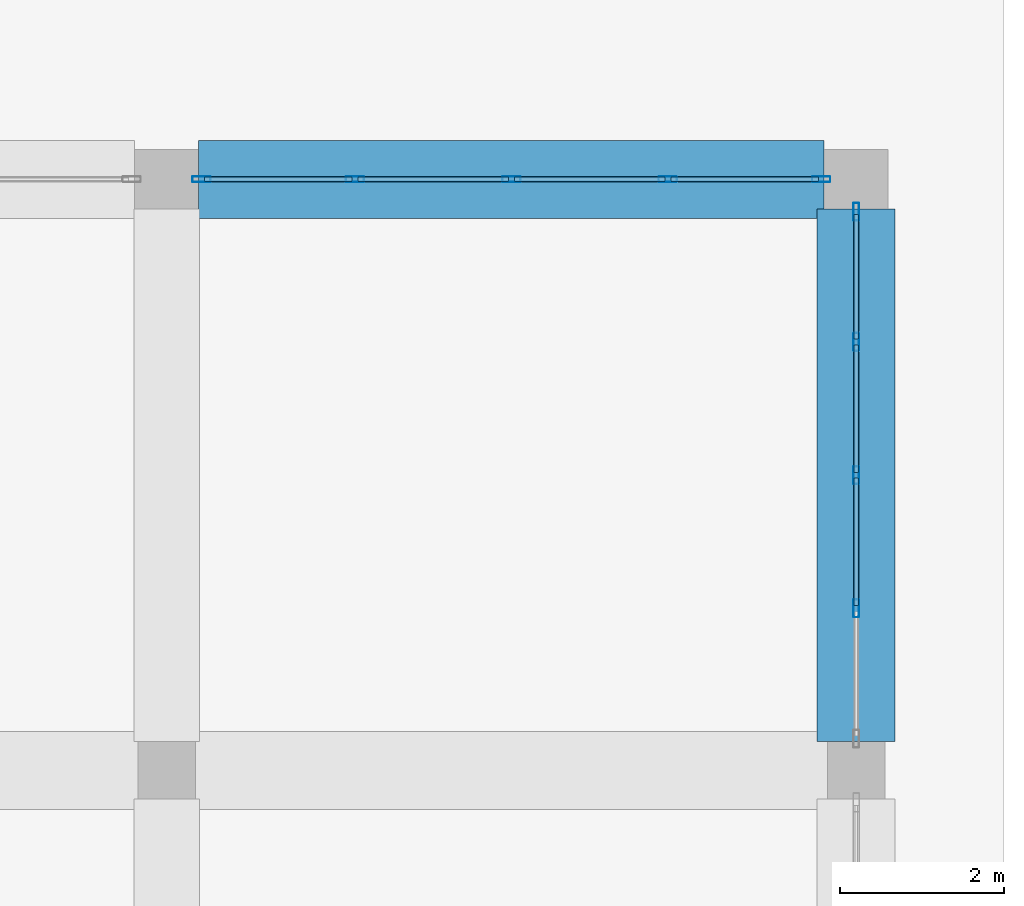
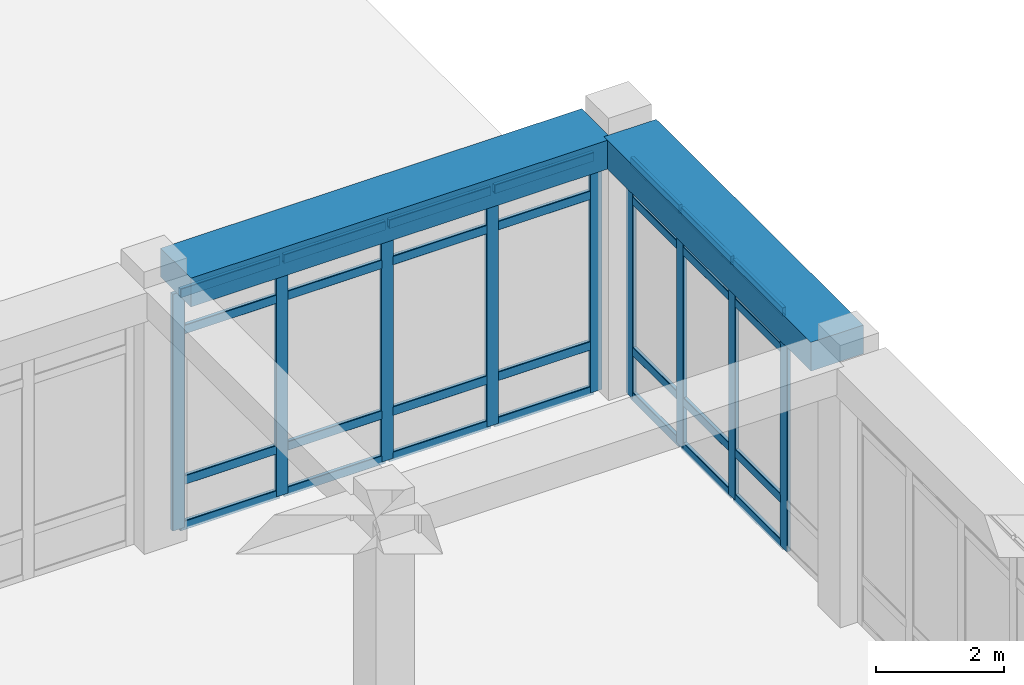
# One storey, part 50 of 84: 37 members, 2 beams, 2 elements without a shape of their own.
"""IFC4 building model written with IfcOpenShell, lengths in metres."""

from ifc_helpers import new_model, si_unit, derived_unit, direction, frame, origin, origin_2d, place, context, subcontext, project, spatial, rectangle, hollow_rectangle, extrude, material, material_profile, profile_set, type_object, element, aggregate, save


model = new_model("IFC4")

# Units and contexts
model_context = context("Model", 3, precision=1e-05, world=origin(), true_north=direction((0.0, 1.0)))
body_context = subcontext(model_context, "Body", "Model", "MODEL_VIEW")
ifc_project = project(units=[si_unit("LENGTHUNIT", "METRE"), si_unit("AREAUNIT", "SQUARE_METRE"), si_unit("VOLUMEUNIT", "CUBIC_METRE"), si_unit("PLANEANGLEUNIT", "RADIAN"), si_unit("MASSUNIT", "GRAM", prefix="KILO"), derived_unit("THERMALTRANSMITTANCEUNIT", [(si_unit("POWERUNIT", "WATT"), 1), (si_unit("LENGTHUNIT", "METRE"), -2), (si_unit("THERMODYNAMICTEMPERATUREUNIT", "KELVIN"), -1)])], contexts=[model_context])

# Site, building, storey
site_placement = place(None, origin())
site = spatial("IfcSite", under=ifc_project, at=site_placement, CompositionType="ELEMENT")
building_placement = place(site_placement, origin())
building = spatial("IfcBuilding", under=site, at=building_placement, Name="Veybourne Emporium", CompositionType="ELEMENT")
storey_placement = place(building_placement, origin())
storey = spatial("IfcBuildingStorey", under=building, at=storey_placement, Name="L00", CompositionType="ELEMENT", Elevation=0.0)

# Curtain wall, members
ifc_material_1 = material(Name="Patinated Architectural Bronze", Category="bronze")
curtain_wall_type_1 = type_object("IfcCurtainWallType", Name="CWSystem_CWS-25", PredefinedType="NOTDEFINED", material=ifc_material_1)
curtain_wall_1_placement = place(storey_placement, origin())
curtain_wall_1 = element("IfcCurtainWall", 1, at=curtain_wall_1_placement, inside=storey, type_object=curtain_wall_type_1, Name="L00 bronze glazed curtain wall CWS-25 (078)", PredefinedType="NOTDEFINED")
ifc_material_profile_1 = material_profile(ifc_material_1, hollow_rectangle(XDim=0.072021484375, YDim=0.22509765625, WallThickness=0.0048828125, InnerFilletRadius=0.007568359375, OuterFilletRadius=0.012451171875, at=origin_2d()), Name="CWM 72x225x5")
ifc_profile_set_1 = profile_set([ifc_material_profile_1], Name="Patinated Architectural Bronze")
member_type_1 = type_object("IfcMemberType", Name="CWMullion_CW-M1", PredefinedType="MULLION", material=ifc_profile_set_1)
member_1_placement = place(storey_placement, frame((160.02587890625, 21.60009765625, 0.0), z_axis=(0.0, 0.0, 1.0), x_axis=(0.0, 1.0, 0.0)))
member_1 = element("IfcMember", 2, at=member_1_placement, type_object=member_type_1, Name="CWS-25 mullion 1", PredefinedType="MULLION", context=body_context, shape_type="SweptSolid", body=[
    extrude(hollow_rectangle(XDim=0.072021484375, YDim=0.22509765625, WallThickness=0.0048828125, InnerFilletRadius=0.007568359375, OuterFilletRadius=0.012451171875, at=origin_2d()), origin(), (0.0, 0.0, 1.0), 4.530029296875),
])
member_2_placement = place(storey_placement, frame((161.89501953125, 21.60009765625, 0.0), z_axis=(0.0, 0.0, 1.0), x_axis=(0.0, 1.0, 0.0)))
member_2 = element("IfcMember", 3, at=member_2_placement, type_object=member_type_1, Name="CWS-25 mullion 2", PredefinedType="MULLION", context=body_context, shape_type="SweptSolid", body=[
    extrude(hollow_rectangle(XDim=0.072021484375, YDim=0.22509765625, WallThickness=0.0048828125, InnerFilletRadius=0.007568359375, OuterFilletRadius=0.012451171875, at=origin_2d()), origin(), (0.0, 0.0, 1.0), 4.530029296875),
])
member_3_placement = place(storey_placement, frame((163.800048828125, 21.60009765625, 0.0), z_axis=(0.0, 0.0, 1.0), x_axis=(0.0, 1.0, 0.0)))
member_3 = element("IfcMember", 4, at=member_3_placement, type_object=member_type_1, Name="CWS-25 mullion 3", PredefinedType="MULLION", context=body_context, shape_type="SweptSolid", body=[
    extrude(hollow_rectangle(XDim=0.072021484375, YDim=0.22509765625, WallThickness=0.0048828125, InnerFilletRadius=0.007568359375, OuterFilletRadius=0.012451171875, at=origin_2d()), origin(), (0.0, 0.0, 1.0), 4.530029296875),
])
member_4_placement = place(storey_placement, frame((165.705078125, 21.60009765625, 0.0), z_axis=(0.0, 0.0, 1.0), x_axis=(0.0, 1.0, 0.0)))
member_4 = element("IfcMember", 5, at=member_4_placement, type_object=member_type_1, Name="CWS-25 mullion 4", PredefinedType="MULLION", context=body_context, shape_type="SweptSolid", body=[
    extrude(hollow_rectangle(XDim=0.072021484375, YDim=0.22509765625, WallThickness=0.0048828125, InnerFilletRadius=0.007568359375, OuterFilletRadius=0.012451171875, at=origin_2d()), origin(), (0.0, 0.0, 1.0), 4.530029296875),
])
member_5_placement = place(storey_placement, frame((167.573974609375, 21.60009765625, 0.0), z_axis=(0.0, 0.0, 1.0), x_axis=(0.0, 1.0, 0.0)))
member_5 = element("IfcMember", 6, at=member_5_placement, type_object=member_type_1, Name="CWS-25 mullion 5", PredefinedType="MULLION", context=body_context, shape_type="SweptSolid", body=[
    extrude(hollow_rectangle(XDim=0.072021484375, YDim=0.22509765625, WallThickness=0.0048828125, InnerFilletRadius=0.007568359375, OuterFilletRadius=0.012451171875, at=origin_2d()), origin(), (0.0, 0.0, 1.0), 4.530029296875),
])

curtain_wall_type_2 = type_object("IfcCurtainWallType", Name="CWSystem_CWS-24", PredefinedType="NOTDEFINED", material=ifc_material_1)
curtain_wall_2_placement = place(storey_placement, origin())
curtain_wall_2 = element("IfcCurtainWall", 7, at=curtain_wall_2_placement, inside=storey, type_object=curtain_wall_type_2, Name="L00 bronze glazed curtain wall CWS-24 (077)", PredefinedType="NOTDEFINED")
ifc_material_profile_2 = material_profile(ifc_material_1, hollow_rectangle(XDim=0.070068359375, YDim=0.219970703125, WallThickness=0.0048828125, InnerFilletRadius=0.007568359375, OuterFilletRadius=0.012451171875, at=origin_2d()), Name="CWM 70x220x5")
ifc_profile_set_2 = profile_set([ifc_material_profile_2], Name="Patinated Architectural Bronze")
member_type_2 = type_object("IfcMemberType", Name="CWMullion_CW-M4", PredefinedType="MULLION", material=ifc_profile_set_2)
member_6_placement = place(storey_placement, frame((168.0, 21.205078125, 0.0), z_axis=(0.0, 0.0, 1.0), x_axis=(1.0, 0.0, 0.0)))
member_6 = element("IfcMember", 8, at=member_6_placement, type_object=member_type_2, Name="CWS-24 mullion 1", PredefinedType="MULLION", context=body_context, shape_type="SweptSolid", body=[
    extrude(hollow_rectangle(XDim=0.070068359375, YDim=0.219970703125, WallThickness=0.0048828125, InnerFilletRadius=0.007568359375, OuterFilletRadius=0.012451171875, at=origin_2d()), origin(), (0.0, 0.0, 1.0), 4.530029296875),
])
member_7_placement = place(storey_placement, frame((168.0, 19.617431640625, 0.0), z_axis=(0.0, 0.0, 1.0), x_axis=(1.0, 0.0, 0.0)))
member_7 = element("IfcMember", 9, at=member_7_placement, type_object=member_type_2, Name="CWS-24 mullion 2", PredefinedType="MULLION", context=body_context, shape_type="SweptSolid", body=[
    extrude(hollow_rectangle(XDim=0.070068359375, YDim=0.219970703125, WallThickness=0.0048828125, InnerFilletRadius=0.007568359375, OuterFilletRadius=0.012451171875, at=origin_2d()), origin(), (0.0, 0.0, 1.0), 4.530029296875),
])
member_8_placement = place(storey_placement, frame((168.0, 17.9951171875, 0.0), z_axis=(0.0, 0.0, 1.0), x_axis=(1.0, 0.0, 0.0)))
member_8 = element("IfcMember", 10, at=member_8_placement, type_object=member_type_2, Name="CWS-24 mullion 3", PredefinedType="MULLION", context=body_context, shape_type="SweptSolid", body=[
    extrude(hollow_rectangle(XDim=0.070068359375, YDim=0.219970703125, WallThickness=0.0048828125, InnerFilletRadius=0.007568359375, OuterFilletRadius=0.012451171875, at=origin_2d()), origin(), (0.0, 0.0, 1.0), 4.530029296875),
])
member_9_placement = place(storey_placement, frame((168.0, 16.37255859375, 0.0), z_axis=(0.0, 0.0, 1.0), x_axis=(1.0, 0.0, 0.0)))
member_9 = element("IfcMember", 11, at=member_9_placement, type_object=member_type_2, Name="CWS-24 mullion 4", PredefinedType="MULLION", context=body_context, shape_type="SweptSolid", body=[
    extrude(hollow_rectangle(XDim=0.070068359375, YDim=0.219970703125, WallThickness=0.0048828125, InnerFilletRadius=0.007568359375, OuterFilletRadius=0.012451171875, at=origin_2d()), origin(), (0.0, 0.0, 1.0), 4.530029296875),
])

# Member
ifc_material_profile_3 = material_profile(ifc_material_1, hollow_rectangle(XDim=0.072021484375, YDim=0.175048828125, WallThickness=0.0048828125, InnerFilletRadius=0.007568359375, OuterFilletRadius=0.012451171875, at=origin_2d()), Name="CWT 72x175x5")
ifc_profile_set_3 = profile_set([ifc_material_profile_3], Name="Patinated Architectural Bronze")
member_type_3 = type_object("IfcMemberType", Name="CWTransom_CW-T1", PredefinedType="NOTDEFINED", material=ifc_profile_set_3)
member_10_placement = place(storey_placement, frame((160.06201171875, 21.60009765625, 0.035888671875), z_axis=(1.0, 0.0, 0.0), x_axis=(0.0, 1.0, 0.0)))
member_10 = element("IfcMember", 12, at=member_10_placement, type_object=member_type_3, Name="CWS-25 transom 1.1", ObjectType="TRANSOM", PredefinedType="USERDEFINED", context=body_context, shape_type="SweptSolid", body=[
    extrude(hollow_rectangle(XDim=0.072021484375, YDim=0.175048828125, WallThickness=0.0048828125, InnerFilletRadius=0.007568359375, OuterFilletRadius=0.012451171875, at=origin_2d()), origin(), (0.0, 0.0, 1.0), 1.796875),
])

member_11_placement = place(storey_placement, frame((160.06201171875, 21.60009765625, 0.89990234375), z_axis=(1.0, 0.0, 0.0), x_axis=(0.0, 1.0, 0.0)))
member_11 = element("IfcMember", 13, at=member_11_placement, type_object=member_type_3, Name="CWS-25 transom 1.2", ObjectType="TRANSOM", PredefinedType="USERDEFINED", context=body_context, shape_type="SweptSolid", body=[
    extrude(hollow_rectangle(XDim=0.072021484375, YDim=0.175048828125, WallThickness=0.0048828125, InnerFilletRadius=0.007568359375, OuterFilletRadius=0.012451171875, at=origin_2d()), origin(), (0.0, 0.0, 1.0), 1.796875),
])

member_12_placement = place(storey_placement, frame((160.06201171875, 21.60009765625, 3.780029296875), z_axis=(1.0, 0.0, 0.0), x_axis=(0.0, 1.0, 0.0)))
member_12 = element("IfcMember", 14, at=member_12_placement, type_object=member_type_3, Name="CWS-25 transom 1.3", ObjectType="TRANSOM", PredefinedType="USERDEFINED", context=body_context, shape_type="SweptSolid", body=[
    extrude(hollow_rectangle(XDim=0.072021484375, YDim=0.175048828125, WallThickness=0.0048828125, InnerFilletRadius=0.007568359375, OuterFilletRadius=0.012451171875, at=origin_2d()), origin(), (0.0, 0.0, 1.0), 1.796875),
])

member_13_placement = place(storey_placement, frame((160.06201171875, 21.60009765625, 4.493896484375), z_axis=(1.0, 0.0, 0.0), x_axis=(0.0, 1.0, 0.0)))
member_13 = element("IfcMember", 15, at=member_13_placement, type_object=member_type_3, Name="CWS-25 transom 1.4", ObjectType="TRANSOM", PredefinedType="USERDEFINED", context=body_context, shape_type="SweptSolid", body=[
    extrude(hollow_rectangle(XDim=0.072021484375, YDim=0.175048828125, WallThickness=0.0048828125, InnerFilletRadius=0.007568359375, OuterFilletRadius=0.012451171875, at=origin_2d()), origin(), (0.0, 0.0, 1.0), 1.796875),
])

member_14_placement = place(storey_placement, frame((161.930908203125, 21.60009765625, 0.035888671875), z_axis=(1.0, 0.0, 0.0), x_axis=(0.0, 1.0, 0.0)))
member_14 = element("IfcMember", 16, at=member_14_placement, type_object=member_type_3, Name="CWS-25 transom 2.1", ObjectType="TRANSOM", PredefinedType="USERDEFINED", context=body_context, shape_type="SweptSolid", body=[
    extrude(hollow_rectangle(XDim=0.072021484375, YDim=0.175048828125, WallThickness=0.0048828125, InnerFilletRadius=0.007568359375, OuterFilletRadius=0.012451171875, at=origin_2d()), origin(), (0.0, 0.0, 1.0), 1.8330078125),
])

member_15_placement = place(storey_placement, frame((161.930908203125, 21.60009765625, 0.89990234375), z_axis=(1.0, 0.0, 0.0), x_axis=(0.0, 1.0, 0.0)))
member_15 = element("IfcMember", 17, at=member_15_placement, type_object=member_type_3, Name="CWS-25 transom 2.2", ObjectType="TRANSOM", PredefinedType="USERDEFINED", context=body_context, shape_type="SweptSolid", body=[
    extrude(hollow_rectangle(XDim=0.072021484375, YDim=0.175048828125, WallThickness=0.0048828125, InnerFilletRadius=0.007568359375, OuterFilletRadius=0.012451171875, at=origin_2d()), origin(), (0.0, 0.0, 1.0), 1.8330078125),
])

member_16_placement = place(storey_placement, frame((161.930908203125, 21.60009765625, 3.780029296875), z_axis=(1.0, 0.0, 0.0), x_axis=(0.0, 1.0, 0.0)))
member_16 = element("IfcMember", 18, at=member_16_placement, type_object=member_type_3, Name="CWS-25 transom 2.3", ObjectType="TRANSOM", PredefinedType="USERDEFINED", context=body_context, shape_type="SweptSolid", body=[
    extrude(hollow_rectangle(XDim=0.072021484375, YDim=0.175048828125, WallThickness=0.0048828125, InnerFilletRadius=0.007568359375, OuterFilletRadius=0.012451171875, at=origin_2d()), origin(), (0.0, 0.0, 1.0), 1.8330078125),
])

member_17_placement = place(storey_placement, frame((161.930908203125, 21.60009765625, 4.493896484375), z_axis=(1.0, 0.0, 0.0), x_axis=(0.0, 1.0, 0.0)))
member_17 = element("IfcMember", 19, at=member_17_placement, type_object=member_type_3, Name="CWS-25 transom 2.4", ObjectType="TRANSOM", PredefinedType="USERDEFINED", context=body_context, shape_type="SweptSolid", body=[
    extrude(hollow_rectangle(XDim=0.072021484375, YDim=0.175048828125, WallThickness=0.0048828125, InnerFilletRadius=0.007568359375, OuterFilletRadius=0.012451171875, at=origin_2d()), origin(), (0.0, 0.0, 1.0), 1.8330078125),
])

member_18_placement = place(storey_placement, frame((163.8359375, 21.60009765625, 0.035888671875), z_axis=(1.0, 0.0, 0.0), x_axis=(0.0, 1.0, 0.0)))
member_18 = element("IfcMember", 20, at=member_18_placement, type_object=member_type_3, Name="CWS-25 transom 3.1", ObjectType="TRANSOM", PredefinedType="USERDEFINED", context=body_context, shape_type="SweptSolid", body=[
    extrude(hollow_rectangle(XDim=0.072021484375, YDim=0.175048828125, WallThickness=0.0048828125, InnerFilletRadius=0.007568359375, OuterFilletRadius=0.012451171875, at=origin_2d()), origin(), (0.0, 0.0, 1.0), 1.8330078125),
])

member_19_placement = place(storey_placement, frame((163.8359375, 21.60009765625, 0.89990234375), z_axis=(1.0, 0.0, 0.0), x_axis=(0.0, 1.0, 0.0)))
member_19 = element("IfcMember", 21, at=member_19_placement, type_object=member_type_3, Name="CWS-25 transom 3.2", ObjectType="TRANSOM", PredefinedType="USERDEFINED", context=body_context, shape_type="SweptSolid", body=[
    extrude(hollow_rectangle(XDim=0.072021484375, YDim=0.175048828125, WallThickness=0.0048828125, InnerFilletRadius=0.007568359375, OuterFilletRadius=0.012451171875, at=origin_2d()), origin(), (0.0, 0.0, 1.0), 1.8330078125),
])

member_20_placement = place(storey_placement, frame((163.8359375, 21.60009765625, 3.780029296875), z_axis=(1.0, 0.0, 0.0), x_axis=(0.0, 1.0, 0.0)))
member_20 = element("IfcMember", 22, at=member_20_placement, type_object=member_type_3, Name="CWS-25 transom 3.3", ObjectType="TRANSOM", PredefinedType="USERDEFINED", context=body_context, shape_type="SweptSolid", body=[
    extrude(hollow_rectangle(XDim=0.072021484375, YDim=0.175048828125, WallThickness=0.0048828125, InnerFilletRadius=0.007568359375, OuterFilletRadius=0.012451171875, at=origin_2d()), origin(), (0.0, 0.0, 1.0), 1.8330078125),
])

member_21_placement = place(storey_placement, frame((163.8359375, 21.60009765625, 4.493896484375), z_axis=(1.0, 0.0, 0.0), x_axis=(0.0, 1.0, 0.0)))
member_21 = element("IfcMember", 23, at=member_21_placement, type_object=member_type_3, Name="CWS-25 transom 3.4", ObjectType="TRANSOM", PredefinedType="USERDEFINED", context=body_context, shape_type="SweptSolid", body=[
    extrude(hollow_rectangle(XDim=0.072021484375, YDim=0.175048828125, WallThickness=0.0048828125, InnerFilletRadius=0.007568359375, OuterFilletRadius=0.012451171875, at=origin_2d()), origin(), (0.0, 0.0, 1.0), 1.8330078125),
])

member_22_placement = place(storey_placement, frame((165.740966796875, 21.60009765625, 0.035888671875), z_axis=(1.0, 0.0, 0.0), x_axis=(0.0, 1.0, 0.0)))
member_22 = element("IfcMember", 24, at=member_22_placement, type_object=member_type_3, Name="CWS-25 transom 4.1", ObjectType="TRANSOM", PredefinedType="USERDEFINED", context=body_context, shape_type="SweptSolid", body=[
    extrude(hollow_rectangle(XDim=0.072021484375, YDim=0.175048828125, WallThickness=0.0048828125, InnerFilletRadius=0.007568359375, OuterFilletRadius=0.012451171875, at=origin_2d()), origin(), (0.0, 0.0, 1.0), 1.797119140625),
])

member_23_placement = place(storey_placement, frame((165.740966796875, 21.60009765625, 0.89990234375), z_axis=(1.0, 0.0, 0.0), x_axis=(0.0, 1.0, 0.0)))
member_23 = element("IfcMember", 25, at=member_23_placement, type_object=member_type_3, Name="CWS-25 transom 4.2", ObjectType="TRANSOM", PredefinedType="USERDEFINED", context=body_context, shape_type="SweptSolid", body=[
    extrude(hollow_rectangle(XDim=0.072021484375, YDim=0.175048828125, WallThickness=0.0048828125, InnerFilletRadius=0.007568359375, OuterFilletRadius=0.012451171875, at=origin_2d()), origin(), (0.0, 0.0, 1.0), 1.797119140625),
])

member_24_placement = place(storey_placement, frame((165.740966796875, 21.60009765625, 3.780029296875), z_axis=(1.0, 0.0, 0.0), x_axis=(0.0, 1.0, 0.0)))
member_24 = element("IfcMember", 26, at=member_24_placement, type_object=member_type_3, Name="CWS-25 transom 4.3", ObjectType="TRANSOM", PredefinedType="USERDEFINED", context=body_context, shape_type="SweptSolid", body=[
    extrude(hollow_rectangle(XDim=0.072021484375, YDim=0.175048828125, WallThickness=0.0048828125, InnerFilletRadius=0.007568359375, OuterFilletRadius=0.012451171875, at=origin_2d()), origin(), (0.0, 0.0, 1.0), 1.797119140625),
])

member_25_placement = place(storey_placement, frame((165.740966796875, 21.60009765625, 4.493896484375), z_axis=(1.0, 0.0, 0.0), x_axis=(0.0, 1.0, 0.0)))
member_25 = element("IfcMember", 27, at=member_25_placement, type_object=member_type_3, Name="CWS-25 transom 4.4", ObjectType="TRANSOM", PredefinedType="USERDEFINED", context=body_context, shape_type="SweptSolid", body=[
    extrude(hollow_rectangle(XDim=0.072021484375, YDim=0.175048828125, WallThickness=0.0048828125, InnerFilletRadius=0.007568359375, OuterFilletRadius=0.012451171875, at=origin_2d()), origin(), (0.0, 0.0, 1.0), 1.797119140625),
])

aggregate(curtain_wall_1, [member_1, member_2, member_3, member_4, member_5, member_10, member_11, member_12, member_13, member_14, member_15, member_16, member_17, member_18, member_19, member_20, member_21, member_22, member_23, member_24, member_25])

ifc_material_profile_4 = material_profile(ifc_material_1, hollow_rectangle(XDim=0.070068359375, YDim=0.169921875, WallThickness=0.0048828125, InnerFilletRadius=0.007568359375, OuterFilletRadius=0.012451171875, at=origin_2d()), Name="CWT 70x170x5")
ifc_profile_set_4 = profile_set([ifc_material_profile_4], Name="Patinated Architectural Bronze")
member_type_4 = type_object("IfcMemberType", Name="CWTransom_CW-T4", PredefinedType="NOTDEFINED", material=ifc_profile_set_4)
member_26_placement = place(storey_placement, frame((168.0, 21.169921875, 0.034912109375), z_axis=(0.0, -1.0, 0.0), x_axis=(1.0, 0.0, 0.0)))
member_26 = element("IfcMember", 28, at=member_26_placement, type_object=member_type_4, Name="CWS-24 transom 1.1", ObjectType="TRANSOM", PredefinedType="USERDEFINED", context=body_context, shape_type="SweptSolid", body=[
    extrude(hollow_rectangle(XDim=0.070068359375, YDim=0.169921875, WallThickness=0.0048828125, InnerFilletRadius=0.007568359375, OuterFilletRadius=0.012451171875, at=origin_2d()), origin(), (0.0, 0.0, 1.0), 1.517333984375),
])

member_27_placement = place(storey_placement, frame((168.0, 21.169921875, 0.89990234375), z_axis=(0.0, -1.0, 0.0), x_axis=(1.0, 0.0, 0.0)))
member_27 = element("IfcMember", 29, at=member_27_placement, type_object=member_type_4, Name="CWS-24 transom 1.2", ObjectType="TRANSOM", PredefinedType="USERDEFINED", context=body_context, shape_type="SweptSolid", body=[
    extrude(hollow_rectangle(XDim=0.070068359375, YDim=0.169921875, WallThickness=0.0048828125, InnerFilletRadius=0.007568359375, OuterFilletRadius=0.012451171875, at=origin_2d()), origin(), (0.0, 0.0, 1.0), 1.517333984375),
])

member_28_placement = place(storey_placement, frame((168.0, 21.169921875, 3.780029296875), z_axis=(0.0, -1.0, 0.0), x_axis=(1.0, 0.0, 0.0)))
member_28 = element("IfcMember", 30, at=member_28_placement, type_object=member_type_4, Name="CWS-24 transom 1.3", ObjectType="TRANSOM", PredefinedType="USERDEFINED", context=body_context, shape_type="SweptSolid", body=[
    extrude(hollow_rectangle(XDim=0.070068359375, YDim=0.169921875, WallThickness=0.0048828125, InnerFilletRadius=0.007568359375, OuterFilletRadius=0.012451171875, at=origin_2d()), origin(), (0.0, 0.0, 1.0), 1.517333984375),
])

member_29_placement = place(storey_placement, frame((168.0, 21.169921875, 4.4951171875), z_axis=(0.0, -1.0, 0.0), x_axis=(1.0, 0.0, 0.0)))
member_29 = element("IfcMember", 31, at=member_29_placement, type_object=member_type_4, Name="CWS-24 transom 1.4", ObjectType="TRANSOM", PredefinedType="USERDEFINED", context=body_context, shape_type="SweptSolid", body=[
    extrude(hollow_rectangle(XDim=0.070068359375, YDim=0.169921875, WallThickness=0.0048828125, InnerFilletRadius=0.007568359375, OuterFilletRadius=0.012451171875, at=origin_2d()), origin(), (0.0, 0.0, 1.0), 1.517333984375),
])

member_30_placement = place(storey_placement, frame((168.0, 19.58251953125, 0.034912109375), z_axis=(0.0, -1.0, 0.0), x_axis=(1.0, 0.0, 0.0)))
member_30 = element("IfcMember", 32, at=member_30_placement, type_object=member_type_4, Name="CWS-24 transom 2.1", ObjectType="TRANSOM", PredefinedType="USERDEFINED", context=body_context, shape_type="SweptSolid", body=[
    extrude(hollow_rectangle(XDim=0.070068359375, YDim=0.169921875, WallThickness=0.0048828125, InnerFilletRadius=0.007568359375, OuterFilletRadius=0.012451171875, at=origin_2d()), origin(), (0.0, 0.0, 1.0), 1.552490234375),
])

member_31_placement = place(storey_placement, frame((168.0, 19.58251953125, 0.89990234375), z_axis=(0.0, -1.0, 0.0), x_axis=(1.0, 0.0, 0.0)))
member_31 = element("IfcMember", 33, at=member_31_placement, type_object=member_type_4, Name="CWS-24 transom 2.2", ObjectType="TRANSOM", PredefinedType="USERDEFINED", context=body_context, shape_type="SweptSolid", body=[
    extrude(hollow_rectangle(XDim=0.070068359375, YDim=0.169921875, WallThickness=0.0048828125, InnerFilletRadius=0.007568359375, OuterFilletRadius=0.012451171875, at=origin_2d()), origin(), (0.0, 0.0, 1.0), 1.552490234375),
])

member_32_placement = place(storey_placement, frame((168.0, 19.58251953125, 3.780029296875), z_axis=(0.0, -1.0, 0.0), x_axis=(1.0, 0.0, 0.0)))
member_32 = element("IfcMember", 34, at=member_32_placement, type_object=member_type_4, Name="CWS-24 transom 2.3", ObjectType="TRANSOM", PredefinedType="USERDEFINED", context=body_context, shape_type="SweptSolid", body=[
    extrude(hollow_rectangle(XDim=0.070068359375, YDim=0.169921875, WallThickness=0.0048828125, InnerFilletRadius=0.007568359375, OuterFilletRadius=0.012451171875, at=origin_2d()), origin(), (0.0, 0.0, 1.0), 1.552490234375),
])

member_33_placement = place(storey_placement, frame((168.0, 19.58251953125, 4.4951171875), z_axis=(0.0, -1.0, 0.0), x_axis=(1.0, 0.0, 0.0)))
member_33 = element("IfcMember", 35, at=member_33_placement, type_object=member_type_4, Name="CWS-24 transom 2.4", ObjectType="TRANSOM", PredefinedType="USERDEFINED", context=body_context, shape_type="SweptSolid", body=[
    extrude(hollow_rectangle(XDim=0.070068359375, YDim=0.169921875, WallThickness=0.0048828125, InnerFilletRadius=0.007568359375, OuterFilletRadius=0.012451171875, at=origin_2d()), origin(), (0.0, 0.0, 1.0), 1.552490234375),
])

member_34_placement = place(storey_placement, frame((168.0, 17.9599609375, 0.034912109375), z_axis=(0.0, -1.0, 0.0), x_axis=(1.0, 0.0, 0.0)))
member_34 = element("IfcMember", 36, at=member_34_placement, type_object=member_type_4, Name="CWS-24 transom 3.1", ObjectType="TRANSOM", PredefinedType="USERDEFINED", context=body_context, shape_type="SweptSolid", body=[
    extrude(hollow_rectangle(XDim=0.070068359375, YDim=0.169921875, WallThickness=0.0048828125, InnerFilletRadius=0.007568359375, OuterFilletRadius=0.012451171875, at=origin_2d()), origin(), (0.0, 0.0, 1.0), 1.552490234375),
])

member_35_placement = place(storey_placement, frame((168.0, 17.9599609375, 0.89990234375), z_axis=(0.0, -1.0, 0.0), x_axis=(1.0, 0.0, 0.0)))
member_35 = element("IfcMember", 37, at=member_35_placement, type_object=member_type_4, Name="CWS-24 transom 3.2", ObjectType="TRANSOM", PredefinedType="USERDEFINED", context=body_context, shape_type="SweptSolid", body=[
    extrude(hollow_rectangle(XDim=0.070068359375, YDim=0.169921875, WallThickness=0.0048828125, InnerFilletRadius=0.007568359375, OuterFilletRadius=0.012451171875, at=origin_2d()), origin(), (0.0, 0.0, 1.0), 1.552490234375),
])

member_36_placement = place(storey_placement, frame((168.0, 17.9599609375, 3.780029296875), z_axis=(0.0, -1.0, 0.0), x_axis=(1.0, 0.0, 0.0)))
member_36 = element("IfcMember", 38, at=member_36_placement, type_object=member_type_4, Name="CWS-24 transom 3.3", ObjectType="TRANSOM", PredefinedType="USERDEFINED", context=body_context, shape_type="SweptSolid", body=[
    extrude(hollow_rectangle(XDim=0.070068359375, YDim=0.169921875, WallThickness=0.0048828125, InnerFilletRadius=0.007568359375, OuterFilletRadius=0.012451171875, at=origin_2d()), origin(), (0.0, 0.0, 1.0), 1.552490234375),
])

member_37_placement = place(storey_placement, frame((168.0, 17.9599609375, 4.4951171875), z_axis=(0.0, -1.0, 0.0), x_axis=(1.0, 0.0, 0.0)))
member_37 = element("IfcMember", 39, at=member_37_placement, type_object=member_type_4, Name="CWS-24 transom 3.4", ObjectType="TRANSOM", PredefinedType="USERDEFINED", context=body_context, shape_type="SweptSolid", body=[
    extrude(hollow_rectangle(XDim=0.070068359375, YDim=0.169921875, WallThickness=0.0048828125, InnerFilletRadius=0.007568359375, OuterFilletRadius=0.012451171875, at=origin_2d()), origin(), (0.0, 0.0, 1.0), 1.552490234375),
])

aggregate(curtain_wall_2, [member_6, member_7, member_8, member_9, member_26, member_27, member_28, member_29, member_30, member_31, member_32, member_33, member_34, member_35, member_36, member_37])

# Beams
ifc_material_2 = material(Name="Concrete C32/40", Category="concrete")
ifc_material_profile_5 = material_profile(ifc_material_2, rectangle(XDim=0.949951171875, YDim=0.550048828125, at=origin_2d()), Name="RC 950x550")
ifc_profile_set_5 = profile_set([ifc_material_profile_5], Name="Concrete C32/40")
beam_type = type_object("IfcBeamType", Name="RCBeam_EB-01", PredefinedType="SPANDREL", material=ifc_profile_set_5)
beam_1_placement = place(storey_placement, frame((159.989990234375, 21.60009765625, 4.804931640625), z_axis=(1.0, 0.0, 0.0), x_axis=(0.0, 1.0, 0.0)))
element("IfcBeam", 40, at=beam_1_placement, inside=storey, type_object=beam_type, Name="L00 X-grid beam EB-01 (19,3)", PredefinedType="SPANDREL", context=body_context, shape_type="SweptSolid", body=[
    extrude(rectangle(XDim=0.949951171875, YDim=0.550048828125, at=origin_2d()), origin(), (0.0, 0.0, 1.0), 7.6201171875),
])
beam_2_placement = place(storey_placement, frame((168.0, 14.75, 4.804931640625), z_axis=(0.0, 1.0, 0.0), x_axis=(-1.0, 0.0, 0.0)))
element("IfcBeam", 41, at=beam_2_placement, inside=storey, type_object=beam_type, Name="L00 Y-grid beam EB-01 (20,2)", PredefinedType="SPANDREL", context=body_context, shape_type="SweptSolid", body=[
    extrude(rectangle(XDim=0.949951171875, YDim=0.550048828125, at=origin_2d()), origin(), (0.0, 0.0, 1.0), 6.489990234375),
])

save(model, "model.ifc")
